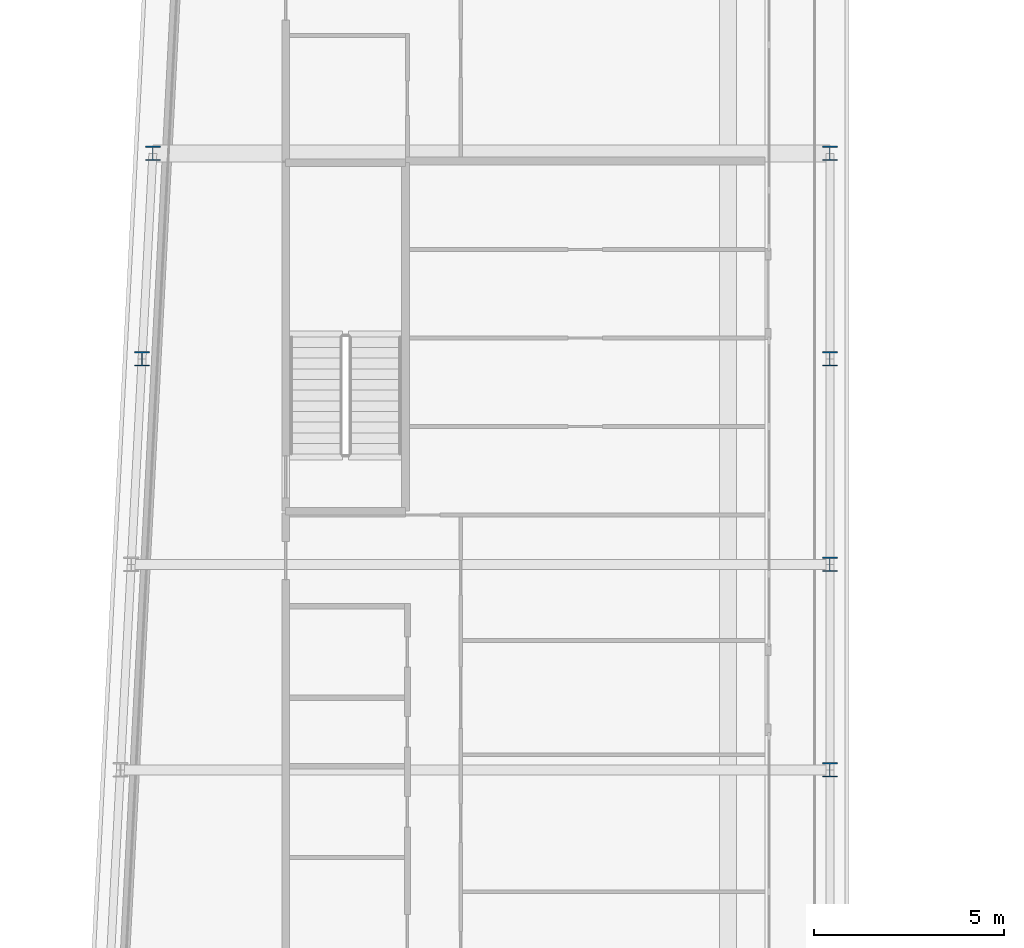
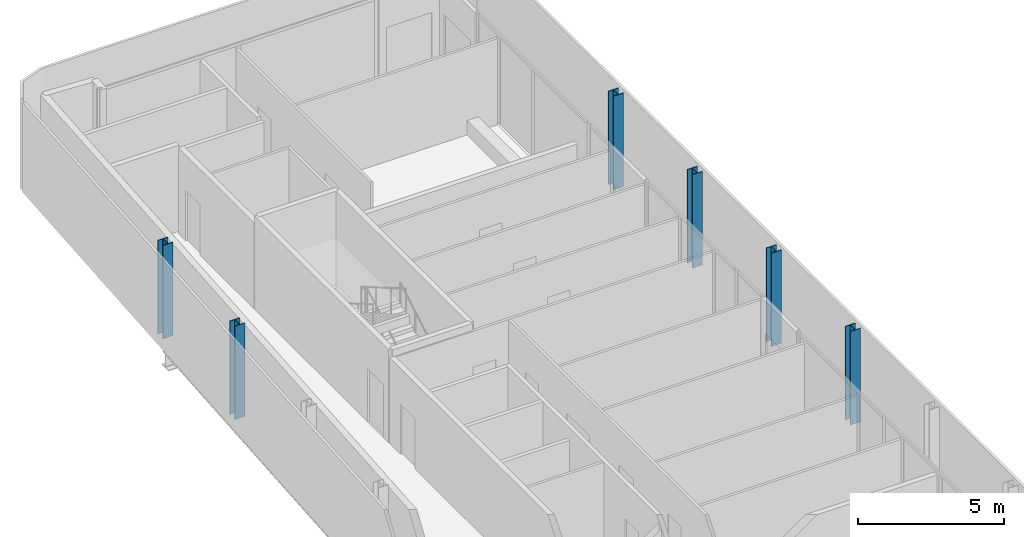
# One storey, part 4 of 21: 6 columns.
"""IFC4 building model written with IfcOpenShell, lengths in metres."""

import ifcopenshell
import ifcopenshell.guid

model = None  # the IFC model being written
_history = None  # IfcOwnerHistory: only IFC2X3 demands one
_inside = {}  # id of a spatial element -> (the spatial element, [elements in it])
_under = {}  # id of a project, library or spatial element -> (it, [spatial elements below it])
_declared = {}  # id of a project -> (the project, [libraries it declares])
_typed = {}  # id of a type object -> (the type object, [elements of that type])
_made_of = {}  # id of a material, layer set ... -> (it, [elements and type objects made of it])


def new_model(schema):
    """Start an empty IFC model of exactly this schema.

    Asked for "IFC4X3", IfcOpenShell would pick the latest addendum, in which some entities
    have other attributes; the version numbers below select the first issue.
    IFC2X3 requires an IfcOwnerHistory on every rooted entity: one is made here for all.
    """
    global model, _history
    if schema == "IFC4X3":
        model = ifcopenshell.file(schema_version=(4, 3, 0, 0))
    else:
        model = ifcopenshell.file(schema=schema)
    _inside.clear()
    _under.clear()
    _declared.clear()
    _typed.clear()
    _made_of.clear()
    _history = None
    if model.schema == "IFC2X3":
        org = make("IfcOrganization", Name="unknown")
        user = make(
            "IfcPersonAndOrganization",
            ThePerson=make("IfcPerson", FamilyName="unknown"),
            TheOrganization=org,
        )
        app = make(
            "IfcApplication",
            ApplicationDeveloper=org,
            Version="unknown",
            ApplicationFullName="unknown",
            ApplicationIdentifier="unknown",
        )
        _history = make(
            "IfcOwnerHistory",
            OwningUser=user,
            OwningApplication=app,
            ChangeAction="ADDED",
            CreationDate=0,
        )
    return model


def make(cls, **values):
    """One entity of the class cls with the attributes given. An attribute that is None is left unset."""
    return model.create_entity(
        cls, **{name: value for name, value in values.items() if value is not None}
    )


def rooted(cls, **values):
    """An entity with a GlobalId (a new one), such as an element, a storey or a relation."""
    return make(cls, GlobalId=ifcopenshell.guid.new(), OwnerHistory=_history, **values)


def si_unit(unit_type, name, prefix=None):
    """IfcSIUnit, for example si_unit("LENGTHUNIT", "METRE", prefix="MILLI")."""
    return make("IfcSIUnit", UnitType=unit_type, Prefix=prefix, Name=name)


def assignment(units):
    """IfcUnitAssignment: the units of a project."""
    return None if units is None else make("IfcUnitAssignment", Units=units)


def point(xyz):
    """IfcCartesianPoint."""
    return None if xyz is None else make("IfcCartesianPoint", Coordinates=xyz)


def direction(xyz):
    """IfcDirection."""
    return None if xyz is None else make("IfcDirection", DirectionRatios=xyz)


def frame(location, z_axis=None, x_axis=None):
    """IfcAxis2Placement3D, a coordinate frame: its origin and axes. An axis left out is left unset."""
    return make(
        "IfcAxis2Placement3D",
        Location=point(location),
        Axis=direction(z_axis),
        RefDirection=direction(x_axis),
    )


def frame_2d(location, x_axis=None):
    """IfcAxis2Placement2D, a coordinate frame in the plane: its origin and x axis."""
    return make(
        "IfcAxis2Placement2D", Location=point(location), RefDirection=direction(x_axis)
    )


def origin():
    """The frame at (0, 0, 0) with its axes left unset."""
    return frame((0.0, 0.0, 0.0))


def origin_2d():
    """The frame at (0, 0) in the plane with its x axis left unset."""
    return frame_2d((0.0, 0.0))


def place(relative_to, where):
    """IfcLocalPlacement: puts the frame where relative to a parent placement (None: the world)."""
    return make(
        "IfcLocalPlacement", PlacementRelTo=relative_to, RelativePlacement=where
    )


def context(
    kind, dimensions, precision=None, world=None, true_north=None, identifier=None
):
    """IfcGeometricRepresentationContext, for example the 3D "Model" context."""
    return make(
        "IfcGeometricRepresentationContext",
        ContextIdentifier=identifier,
        ContextType=kind,
        CoordinateSpaceDimension=dimensions,
        Precision=precision,
        WorldCoordinateSystem=world,
        TrueNorth=true_north,
    )


def subcontext(parent, identifier, kind, view, scale=None):
    """IfcGeometricRepresentationSubContext, for example "Body" below "Model"."""
    return make(
        "IfcGeometricRepresentationSubContext",
        ContextIdentifier=identifier,
        ContextType=kind,
        ParentContext=parent,
        TargetScale=scale,
        TargetView=view,
    )


def project(units=None, contexts=None):
    """IfcProject with its units and contexts."""
    return rooted(
        "IfcProject",
        Name="project",
        RepresentationContexts=contexts,
        UnitsInContext=assignment(units),
    )


def spatial(cls, under=None, at=None, **own):
    """A site, building, storey or space (cls), placed at a placement, below another one or the project."""
    s = rooted(cls, ObjectPlacement=at, **own)
    if under is not None:
        _under.setdefault(under.id(), (under, []))[1].append(s)
    return s


def profile(cls, at=None, kind="AREA", **sizes):
    """A parametric profile (cls). Its sizes go by their IFC names, for example OverallWidth=200.0."""
    return make(cls, ProfileType=kind, Position=at, **sizes)


def i_section(**sizes):
    """IfcIShapeProfileDef."""
    return profile("IfcIShapeProfileDef", **sizes)


def extrude(swept, where, along, depth):
    """IfcExtrudedAreaSolid: the profile swept, set in the frame where, extruded along a direction by depth."""
    return make(
        "IfcExtrudedAreaSolid",
        SweptArea=swept,
        Position=where,
        ExtrudedDirection=direction(along),
        Depth=depth,
    )


def shape(context_of_items, identifier, shape_type, items):
    """IfcShapeRepresentation: the items that make up one representation, for example the "Body"."""
    return make(
        "IfcShapeRepresentation",
        ContextOfItems=context_of_items,
        RepresentationIdentifier=identifier,
        RepresentationType=shape_type,
        Items=items,
    )


def material(Name=None, Category=None):
    """IfcMaterial."""
    return make("IfcMaterial", Name=Name, Category=Category)


def material_profile(
    of_material, cross_section, Name=None, Category=None, Priority=None
):
    """IfcMaterialProfile: a cross section and its material."""
    return make(
        "IfcMaterialProfile",
        Name=Name,
        Material=of_material,
        Profile=cross_section,
        Priority=Priority,
        Category=Category,
    )


def profile_set(profiles, Name=None, composite=None):
    """IfcMaterialProfileSet."""
    return make(
        "IfcMaterialProfileSet",
        Name=Name,
        MaterialProfiles=profiles,
        CompositeProfile=composite,
    )


def made_of(thing, what):
    """Note that an element or type object is made of a material, layer set ...; save() writes the relation."""
    if what is not None:
        _made_of.setdefault(what.id(), (what, []))[1].append(thing)
    return thing


def type_object(cls, material=None, **own):
    """A type object (cls), such as IfcWallType, which elements share."""
    return made_of(rooted(cls, **own), material)


def element(
    cls,
    number,
    at=None,
    inside=None,
    cuts=None,
    type_object=None,
    material=None,
    context=None,
    identifier="Body",
    shape_type=None,
    held_by="IfcProductDefinitionShape",
    body=None,
    shapes=None,
    **own,
):
    """One element of the class cls, such as IfcWall. Its Tag is "e" and its number.

    at: its placement. inside: the storey or other place that contains it. cuts: it is an
    opening in that element (IfcRelVoidsElement). A single representation is given by context,
    identifier, shape_type and body (its items); several are given by shapes. held_by: the class
    of the entity that holds the representations. save() writes the other relations.
    """
    e = rooted(cls, Tag="e%d" % number, ObjectPlacement=at, **own)
    if body is not None:
        shapes = [shape(context, identifier, shape_type, body)]
    if shapes is not None:
        e.Representation = make(held_by, Representations=shapes)
    if inside is not None:
        _inside.setdefault(inside.id(), (inside, []))[1].append(e)
    if cuts is not None:
        rooted(
            "IfcRelVoidsElement", RelatingBuildingElement=cuts, RelatedOpeningElement=e
        )
    if type_object is not None:
        _typed.setdefault(type_object.id(), (type_object, []))[1].append(e)
    return made_of(e, material)


def aggregate(whole, parts):
    """IfcRelAggregates: a whole, such as a stair, and the parts it consists of."""
    return rooted("IfcRelAggregates", RelatingObject=whole, RelatedObjects=parts)


def save(model, path):
    """Write the relations noted so far, then the file.

    IfcRelAggregates (storeys below a building ...), IfcRelContainedInSpatialStructure (elements
    in a storey), IfcRelDefinesByType, IfcRelAssociatesMaterial and IfcRelDeclares: one each for
    every whole, place, type object, material and project.
    """
    for whole, parts in _under.values():
        aggregate(whole, parts)
    for where, things in _inside.values():
        rooted(
            "IfcRelContainedInSpatialStructure",
            RelatedElements=things,
            RelatingStructure=where,
        )
    for kind, things in _typed.values():
        rooted("IfcRelDefinesByType", RelatedObjects=things, RelatingType=kind)
    for what, things in _made_of.values():
        rooted("IfcRelAssociatesMaterial", RelatedObjects=things, RelatingMaterial=what)
    for by, libraries in _declared.values():
        rooted("IfcRelDeclares", RelatingContext=by, RelatedDefinitions=libraries)
    model.write(path)


model = new_model("IFC4")

# Units and contexts
model_context = context("Model", 3, precision=1e-05, world=origin(), true_north=direction((0.0, 1.0)))
body_context = subcontext(model_context, "Body", "Model", "MODEL_VIEW")
ifc_project = project(units=[si_unit("LENGTHUNIT", "METRE"), si_unit("AREAUNIT", "SQUARE_METRE"), si_unit("VOLUMEUNIT", "CUBIC_METRE"), si_unit("PLANEANGLEUNIT", "RADIAN"), si_unit("MASSUNIT", "GRAM", prefix="KILO")], contexts=[model_context])

# Site, building, storey
site_placement = place(None, origin())
site = spatial("IfcSite", under=ifc_project, at=site_placement, CompositionType="ELEMENT")
building_placement = place(site_placement, origin())
building = spatial("IfcBuilding", under=site, at=building_placement, Name="Kheshtan School and Residences Tower", CompositionType="ELEMENT")
storey_placement = place(building_placement, frame((0.0, 0.0, 290.300048828125)))
storey = spatial("IfcBuildingStorey", under=building, at=storey_placement, Name="L68", CompositionType="ELEMENT", Elevation=290.300048828125)

# Columns
ifc_material = material(Name="Steel ASTM A992 Grade 50", Category="steel")
ifc_material_profile = material_profile(ifc_material, i_section(OverallWidth=0.39501953125, OverallDepth=0.3798828125, WebThickness=0.018798828125, FlangeThickness=0.0302734375, FilletRadius=0.011474609375, at=origin_2d()), Name="W360x237")
ifc_profile_set = profile_set([ifc_material_profile], Name="Steel ASTM A992 Grade 50")
column_type = type_object("IfcColumnType", Name="Column C5 W360x237 ASTM A992 Grade 50", PredefinedType="COLUMN", material=ifc_profile_set)
for number, where, z_axis, x_axis, name in (
    (1, (47.60009765625, 72.60009765625, 0.0), (0.0, 0.0, 1.0), (1.0, 0.0, 0.0), "Column C087"),
    (2, (47.60009765625, 78.0, 0.0), (0.0, 0.0, 1.0), (1.0, 0.0, 0.0), "Column C089"),
    (3, (29.527099609375, 83.39990234375, 0.0), (0.0, 0.0, 1.0), (1.0, 0.0, 0.0), "Column C090"),
    (4, (47.60009765625, 83.39990234375, 0.0), (0.0, 0.0, 1.0), (1.0, 0.0, 0.0), "Column C091"),
    (5, (29.81103515625, 88.800048828125, 0.0), (0.0, 0.0, 1.0), (1.0, 0.0, 0.0), "Column C098"),
    (6, (47.60009765625, 88.800048828125, 0.0), (0.0, 0.0, 1.0), (1.0, 0.0, 0.0), "Column C099"),
):
    element("IfcColumn", number, at=place(storey_placement, frame(where, z_axis=z_axis, x_axis=x_axis)), inside=storey, type_object=column_type, Name=name, PredefinedType="COLUMN", context=body_context, shape_type="SweptSolid", body=[
        extrude(i_section(OverallWidth=0.39501953125, OverallDepth=0.3798828125, WebThickness=0.018798828125, FlangeThickness=0.0302734375, FilletRadius=0.011474609375, at=origin_2d()), origin(), (0.0, 0.0, 1.0), 3.89990234375),
    ])

save(model, "model.ifc")
